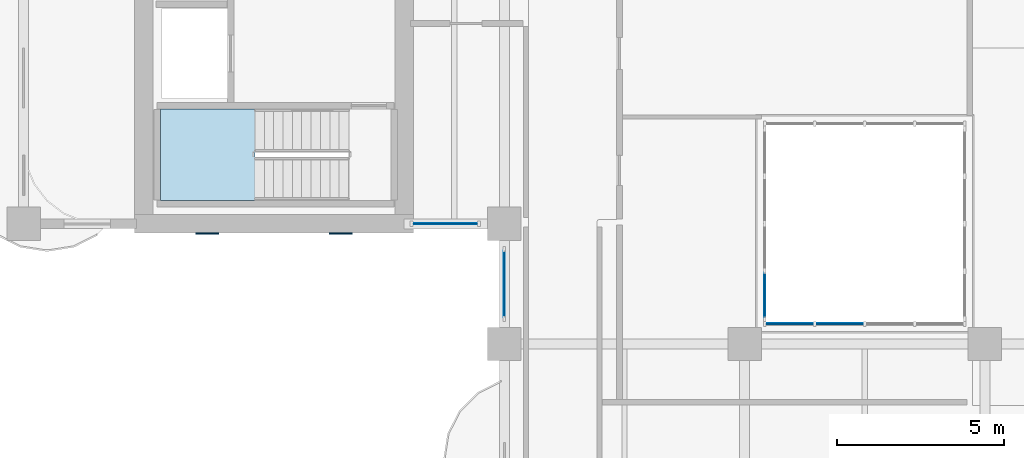
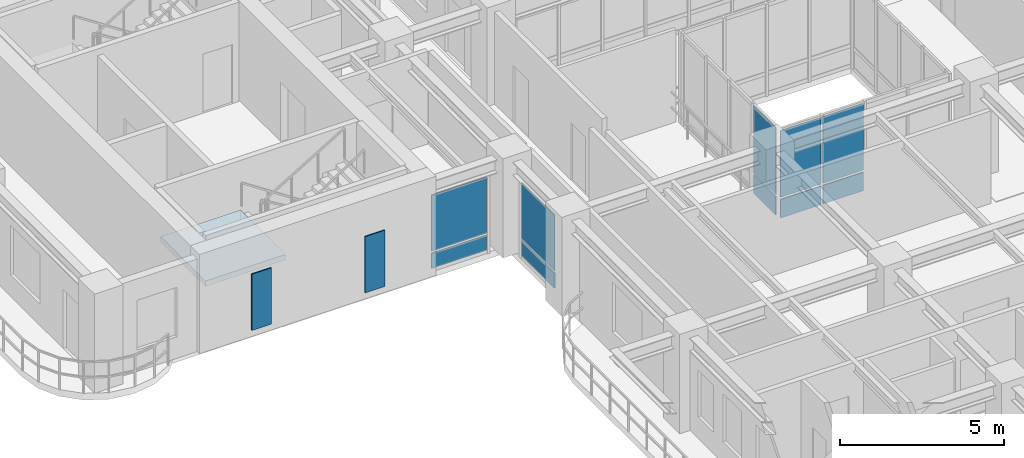
# One storey, part 8 of 20: 12 plates, 1 slab, 5 elements without a shape of their own.
"""IFC4 building model written with IfcOpenShell, lengths in metres."""

from ifc_helpers import new_model, si_unit, derived_unit, direction, frame, origin, origin_2d, place, context, subcontext, project, spatial, polyline, rectangle, outline, extrude, source, transform, mapped, material, layer, layer_set, type_object, type_shapes, element, aggregate, save


model = new_model("IFC4")

# Units and contexts
model_context = context("Model", 3, precision=1e-05, world=origin(), true_north=direction((0.0, 1.0)))
body_context = subcontext(model_context, "Body", "Model", "MODEL_VIEW")
ifc_project = project(units=[si_unit("LENGTHUNIT", "METRE"), si_unit("AREAUNIT", "SQUARE_METRE"), si_unit("VOLUMEUNIT", "CUBIC_METRE"), si_unit("PLANEANGLEUNIT", "RADIAN"), si_unit("MASSUNIT", "GRAM", prefix="KILO"), si_unit("THERMODYNAMICTEMPERATUREUNIT", "KELVIN"), si_unit("POWERUNIT", "WATT"), derived_unit("THERMALTRANSMITTANCEUNIT", [(si_unit("POWERUNIT", "WATT"), 1), (si_unit("AREAUNIT", "SQUARE_METRE"), -1), (si_unit("THERMODYNAMICTEMPERATUREUNIT", "KELVIN"), -1)])], contexts=[model_context])

# Site, building, storey
site_placement = place(None, origin())
site = spatial("IfcSite", under=ifc_project, at=site_placement, CompositionType="ELEMENT")
building_placement = place(site_placement, origin())
building = spatial("IfcBuilding", under=site, at=building_placement, Name="Zahravan Archway Hotel and Residences", CompositionType="ELEMENT")
storey_placement = place(building_placement, frame((0.0, 0.0, 119.199951171875)))
storey = spatial("IfcBuildingStorey", under=building, at=storey_placement, Name="L29", CompositionType="ELEMENT", Elevation=119.199951171875)

# Stair, slab
ifc_material_1 = material(Name="Concrete C50/60", Category="concrete")
stair_type = type_object("IfcStairType", Name="STR-CORE-1300", PredefinedType="HALF_TURN_STAIR", material=ifc_material_1)
stair_placement = place(storey_placement, origin())
stair = element("IfcStair", 1, at=stair_placement, inside=storey, type_object=stair_type, Name="L29 Core B Exit Stair 1", PredefinedType="HALF_TURN_STAIR")
ifc_layer_1 = layer(ifc_material_1, 0.199951171875, Name="Concrete C50/60", Category="concrete")
ifc_layer_set_1 = layer_set([ifc_layer_1], Name="Concrete C50/60")
slab_type = type_object("IfcSlabType", Name="SLB-LND-200", PredefinedType="LANDING", material=ifc_layer_set_1)
slab_placement = place(storey_placement, frame((0.0, 0.0, 1.650146484375)))
slab = element("IfcSlab", 2, at=slab_placement, type_object=slab_type, Name="ST-B1 landing 1", PredefinedType="LANDING", context=body_context, shape_type="SweptSolid", body=[
    extrude(outline(polyline([(6.929931640625, 28.639892578125), (4.10009765625, 28.639892578125), (4.10009765625, 25.89990234375), (6.929931640625, 25.89990234375), (6.929931640625, 28.639892578125)])), origin(), (0.0, 0.0, 1.0), 0.199951171875),
])
aggregate(stair, [slab])

# Plates
ifc_material_2 = material(Name="Perforated Cast Bronze Jali Lattice")
ifc_layer_2 = layer(ifc_material_2, 0.044921875, Name="Perforated Cast Bronze Jali Lattice")
ifc_layer_set_2 = layer_set([ifc_layer_2], Name="Perforated Cast Bronze Jali Lattice")
plate_type_1 = type_object("IfcPlateType", Name="PLT-JALI-BAY", PredefinedType="USERDEFINED", material=ifc_layer_set_2)
shared_shape_1 = source(origin(), body_context, "Body", "SweptSolid", [
    extrude(rectangle(XDim=0.699951171875, YDim=0.044921875, at=origin_2d()), origin(), (0.0, 0.0, 1.0), 2.10009765625),
])
type_shapes(plate_type_1, [shared_shape_1])
for number, where, z_axis, x_axis, name in (
    (3, (5.5, 24.906982421875, 0.25), (0.0, 0.0, 1.0), (1.0, 0.0, 0.0), "L29 Core B South Mughal Jali Screen 1"),
    (4, (9.5, 24.906982421875, 0.25), (0.0, 0.0, 1.0), (1.0, 0.0, 0.0), "L29 Core B South Mughal Jali Screen 2"),
):
    element("IfcPlate", number, at=place(storey_placement, frame(where, z_axis=z_axis, x_axis=x_axis)), inside=storey, type_object=plate_type_1, Name=name, ObjectType="SCREEN", PredefinedType="USERDEFINED", context=body_context, shape_type="MappedRepresentation", body=[
        mapped(shared_shape_1, transform((0.0, 0.0, 0.0), scale=1.0)),
    ])

# Curtain wall, plates
ifc_material_3 = material(Name="Bronze-Anodized Unitised Aluminium & Low-E Glass", Category="aluminium")
ifc_layer_3 = layer(ifc_material_3, 0.179931640625, Name="Bronze-Anodized Unitised Aluminium & Low-E Glass", Category="aluminium")
ifc_layer_set_3 = layer_set([ifc_layer_3], Name="Bronze-Anodized Unitised Aluminium & Low-E Glass")
curtain_wall_type = type_object("IfcCurtainWallType", Name="CW-ATR-GLAZ", PredefinedType="NOTDEFINED", material=ifc_layer_set_3)
curtain_wall_1_placement = place(storey_placement, origin())
curtain_wall_1 = element("IfcCurtainWall", 5, at=curtain_wall_1_placement, inside=storey, type_object=curtain_wall_type, Name="L29 Curtain Wall CW-ATR-L29-S-1", PredefinedType="NOTDEFINED")
ifc_material_4 = material(Name="Insulated Terracotta Spandrel Panel", Category="masonry")
ifc_layer_4 = layer(ifc_material_4, 0.0400390625, Name="Insulated Terracotta Spandrel Panel", Category="masonry")
ifc_layer_set_4 = layer_set([ifc_layer_4], Name="Insulated Terracotta Spandrel Panel")
plate_type_2 = type_object("IfcPlateType", Name="CWP-SPN-40", PredefinedType="SHEET", material=ifc_layer_set_4)
shared_shape_2 = source(origin(), body_context, "Body", "SweptSolid", [
    extrude(rectangle(XDim=1.419921875, YDim=0.0400390625, at=origin_2d()), origin(), (0.0, 0.0, 1.0), 0.68798828125),
])
plate_1_placement = place(storey_placement, frame((22.949951171875, 22.199951171875, 0.10009765625), z_axis=(0.0, 0.0, 1.0), x_axis=(1.0, 0.0, 0.0)))
plate_1 = element("IfcPlate", 6, at=plate_1_placement, type_object=plate_type_2, Name="CW-ATR-L29-S-1 Spandrel Panel 0", PredefinedType="SHEET", context=body_context, shape_type="MappedRepresentation", body=[
    mapped(shared_shape_2, transform((0.0, 0.0, 0.0), scale=1.0)),
])
plate_2_placement = place(storey_placement, frame((24.449951171875, 22.199951171875, 0.10009765625), z_axis=(0.0, 0.0, 1.0), x_axis=(1.0, 0.0, 0.0)))
plate_2 = element("IfcPlate", 7, at=plate_2_placement, type_object=plate_type_2, Name="CW-ATR-L29-S-1 Spandrel Panel 1", PredefinedType="SHEET", context=body_context, shape_type="MappedRepresentation", body=[
    mapped(shared_shape_2, transform((0.0, 0.0, 0.0), scale=1.0)),
])
ifc_material_5 = material(Name="Double-Silver Low-E Insulated Vision Glass", Category="glass")
ifc_layer_5 = layer(ifc_material_5, 0.028076171875, Name="Double-Silver Low-E Insulated Vision Glass", Category="glass")
ifc_layer_set_5 = layer_set([ifc_layer_5], Name="Double-Silver Low-E Insulated Vision Glass")
plate_type_3 = type_object("IfcPlateType", Name="CWP-GLZ-28", PredefinedType="CURTAIN_PANEL", material=ifc_layer_set_5)
shared_shape_3 = source(origin(), body_context, "Body", "SweptSolid", [
    extrude(rectangle(XDim=1.419921875, YDim=0.028076171875, at=origin_2d()), origin(), (0.0, 0.0, 1.0), 2.48193359375),
])
plate_3_placement = place(storey_placement, frame((22.949951171875, 22.199951171875, 0.8681640625), z_axis=(0.0, 0.0, 1.0), x_axis=(1.0, 0.0, 0.0)))
plate_3 = element("IfcPlate", 8, at=plate_3_placement, type_object=plate_type_3, Name="CW-ATR-L29-S-1 Low-E Vision Panel 0", PredefinedType="CURTAIN_PANEL", context=body_context, shape_type="MappedRepresentation", body=[
    mapped(shared_shape_3, transform((0.0, 0.0, 0.0), scale=1.0)),
])
plate_4_placement = place(storey_placement, frame((24.449951171875, 22.199951171875, 0.8681640625), z_axis=(0.0, 0.0, 1.0), x_axis=(1.0, 0.0, 0.0)))
plate_4 = element("IfcPlate", 9, at=plate_4_placement, type_object=plate_type_3, Name="CW-ATR-L29-S-1 Low-E Vision Panel 1", PredefinedType="CURTAIN_PANEL", context=body_context, shape_type="MappedRepresentation", body=[
    mapped(shared_shape_3, transform((0.0, 0.0, 0.0), scale=1.0)),
])
aggregate(curtain_wall_1, [plate_1, plate_3, plate_2, plate_4])

curtain_wall_2_placement = place(storey_placement, origin())
curtain_wall_2 = element("IfcCurtainWall", 10, at=curtain_wall_2_placement, inside=storey, type_object=curtain_wall_type, Name="L29 Curtain Wall CW-ATR-L29-W-1", PredefinedType="NOTDEFINED")
shared_shape_4 = source(origin(), body_context, "Body", "SweptSolid", [
    extrude(rectangle(XDim=1.344970703125, YDim=0.0400390625, at=origin_2d()), origin(), (0.0, 0.0, 1.0), 0.68798828125),
])
plate_5_placement = place(storey_placement, frame((22.199951171875, 23.0625, 0.10009765625), z_axis=(0.0, 0.0, 1.0), x_axis=(0.0, 1.0, 0.0)))
plate_5 = element("IfcPlate", 11, at=plate_5_placement, type_object=plate_type_2, Name="CW-ATR-L29-W-1 Spandrel Panel 0", PredefinedType="SHEET", context=body_context, shape_type="MappedRepresentation", body=[
    mapped(shared_shape_4, transform((0.0, 0.0, 0.0), scale=1.0)),
])
shared_shape_5 = source(origin(), body_context, "Body", "SweptSolid", [
    extrude(rectangle(XDim=1.344970703125, YDim=0.028076171875, at=origin_2d()), origin(), (0.0, 0.0, 1.0), 2.48193359375),
])
plate_6_placement = place(storey_placement, frame((22.199951171875, 23.0625, 0.8681640625), z_axis=(0.0, 0.0, 1.0), x_axis=(0.0, 1.0, 0.0)))
plate_6 = element("IfcPlate", 12, at=plate_6_placement, type_object=plate_type_3, Name="CW-ATR-L29-W-1 Low-E Vision Panel 0", PredefinedType="CURTAIN_PANEL", context=body_context, shape_type="MappedRepresentation", body=[
    mapped(shared_shape_5, transform((0.0, 0.0, 0.0), scale=1.0)),
])
aggregate(curtain_wall_2, [plate_5, plate_6])

curtain_wall_3_placement = place(storey_placement, origin())
curtain_wall_3 = element("IfcCurtainWall", 13, at=curtain_wall_3_placement, inside=storey, type_object=curtain_wall_type, Name="L29 Curtain Wall CW-L29-WA-WLU-1", PredefinedType="NOTDEFINED")
shared_shape_6 = source(origin(), body_context, "Body", "SweptSolid", [
    extrude(rectangle(XDim=2.0, YDim=0.0400390625, at=origin_2d()), origin(), (0.0, 0.0, 1.0), 0.564453125),
])
plate_7_placement = place(storey_placement, frame((14.39990234375, 23.39990234375, 0.10009765625), z_axis=(0.0, 0.0, 1.0), x_axis=(0.0, 1.0, 0.0)))
plate_7 = element("IfcPlate", 14, at=plate_7_placement, type_object=plate_type_2, Name="CW-L29-WA-WLU-1 Spandrel Panel 0", PredefinedType="SHEET", context=body_context, shape_type="MappedRepresentation", body=[
    mapped(shared_shape_6, transform((0.0, 0.0, 0.0), scale=1.0)),
])
shared_shape_7 = source(origin(), body_context, "Body", "SweptSolid", [
    extrude(rectangle(XDim=2.0, YDim=0.028076171875, at=origin_2d()), origin(), (0.0, 0.0, 1.0), 2.090576171875),
])
plate_8_placement = place(storey_placement, frame((14.39990234375, 23.39990234375, 0.74462890625), z_axis=(0.0, 0.0, 1.0), x_axis=(0.0, 1.0, 0.0)))
plate_8 = element("IfcPlate", 15, at=plate_8_placement, type_object=plate_type_3, Name="CW-L29-WA-WLU-1 Low-E Vision Panel 0", PredefinedType="CURTAIN_PANEL", context=body_context, shape_type="MappedRepresentation", body=[
    mapped(shared_shape_7, transform((0.0, 0.0, 0.0), scale=1.0)),
])
aggregate(curtain_wall_3, [plate_7, plate_8])

curtain_wall_4_placement = place(storey_placement, origin())
curtain_wall_4 = element("IfcCurtainWall", 16, at=curtain_wall_4_placement, inside=storey, type_object=curtain_wall_type, Name="L29 Curtain Wall CW-L29-WB-SE-1", PredefinedType="NOTDEFINED")
shared_shape_8 = source(origin(), body_context, "Body", "SweptSolid", [
    extrude(rectangle(XDim=1.93994140625, YDim=0.0400390625, at=origin_2d()), origin(), (0.0, 0.0, 1.0), 0.564453125),
])
plate_9_placement = place(storey_placement, frame((12.6298828125, 25.199951171875, 0.10009765625), z_axis=(0.0, 0.0, 1.0), x_axis=(1.0, 0.0, 0.0)))
plate_9 = element("IfcPlate", 17, at=plate_9_placement, type_object=plate_type_2, Name="CW-L29-WB-SE-1 Spandrel Panel 0", PredefinedType="SHEET", context=body_context, shape_type="MappedRepresentation", body=[
    mapped(shared_shape_8, transform((0.0, 0.0, 0.0), scale=1.0)),
])
shared_shape_9 = source(origin(), body_context, "Body", "SweptSolid", [
    extrude(rectangle(XDim=1.93994140625, YDim=0.028076171875, at=origin_2d()), origin(), (0.0, 0.0, 1.0), 2.090576171875),
])
plate_10_placement = place(storey_placement, frame((12.6298828125, 25.199951171875, 0.74462890625), z_axis=(0.0, 0.0, 1.0), x_axis=(1.0, 0.0, 0.0)))
plate_10 = element("IfcPlate", 18, at=plate_10_placement, type_object=plate_type_3, Name="CW-L29-WB-SE-1 Low-E Vision Panel 0", PredefinedType="CURTAIN_PANEL", context=body_context, shape_type="MappedRepresentation", body=[
    mapped(shared_shape_9, transform((0.0, 0.0, 0.0), scale=1.0)),
])
aggregate(curtain_wall_4, [plate_9, plate_10])

save(model, "model.ifc")
